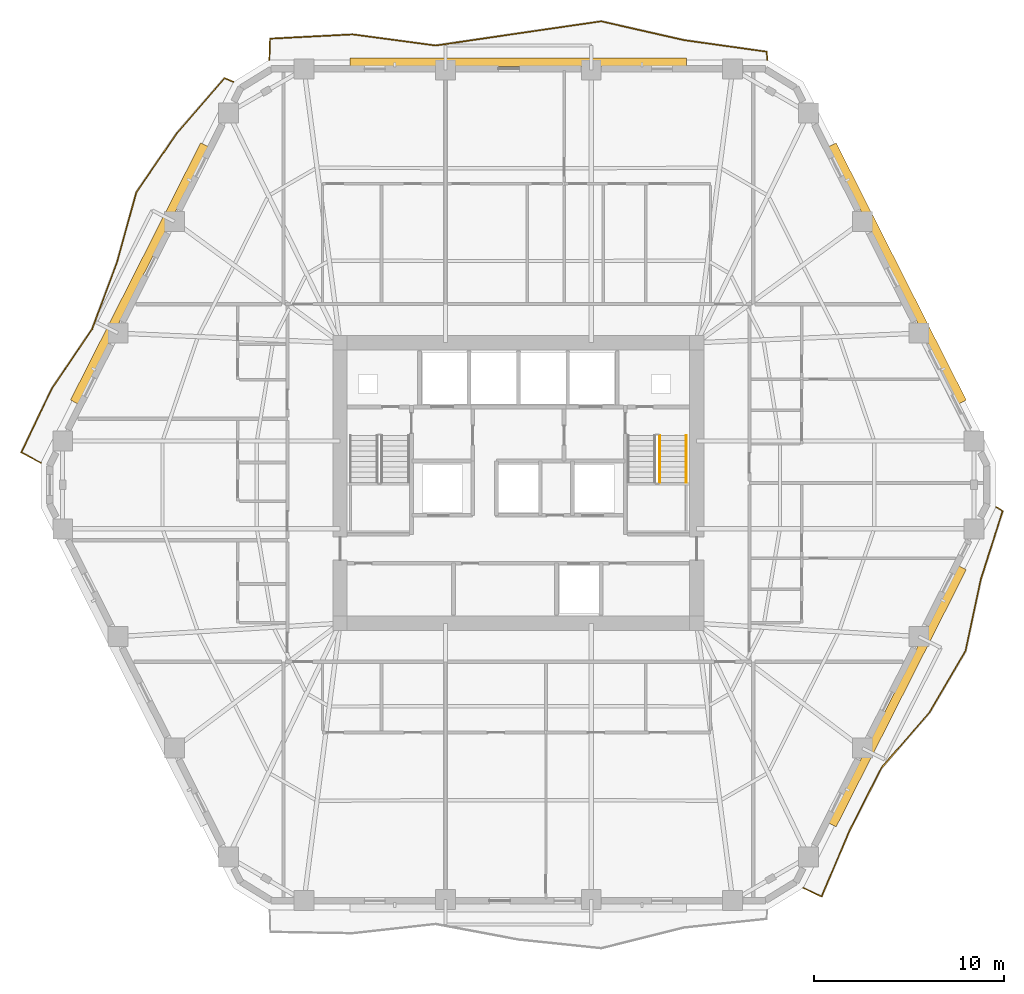
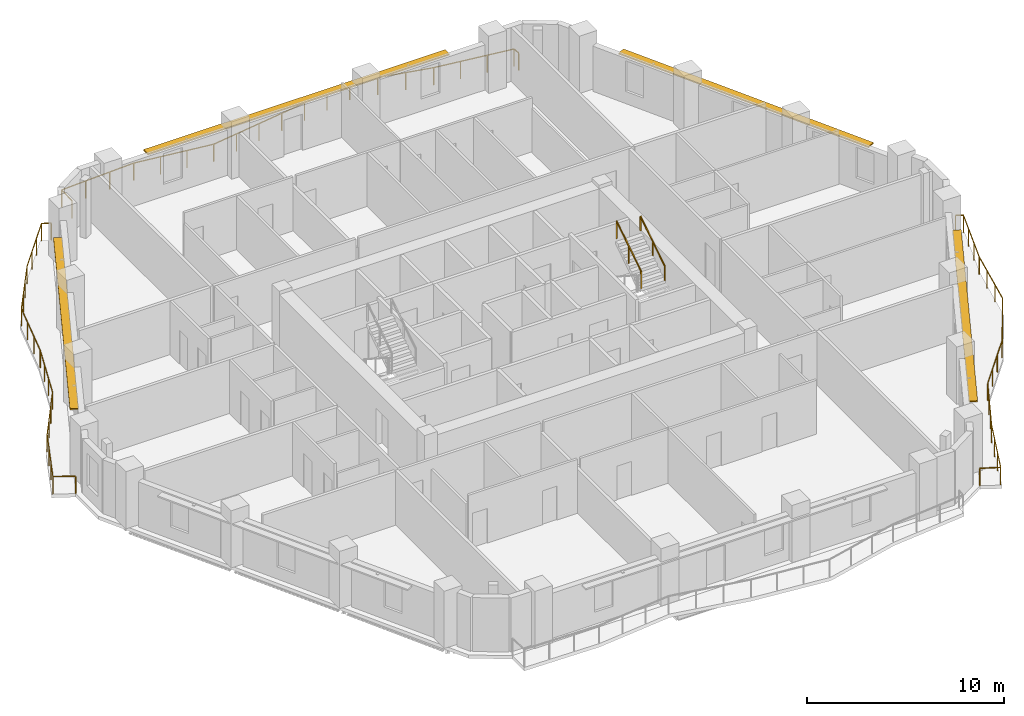
# One storey, part 12 of 12: 5 railings, 4 shading devices.
"""IFC4 building model written with IfcOpenShell, lengths in metres."""

from ifc_helpers import new_model, si_unit, direction, frame, origin, origin_2d, place, context, subcontext, project, spatial, rectangle, extrude, material, layer, layer_set, type_object, element, save


model = new_model("IFC4")

# Units and contexts
model_context = context("Model", 3, precision=1e-05, world=origin(), true_north=direction((0.0, 1.0)))
body_context = subcontext(model_context, "Body", "Model", "MODEL_VIEW")
ifc_project = project(units=[si_unit("LENGTHUNIT", "METRE"), si_unit("AREAUNIT", "SQUARE_METRE"), si_unit("VOLUMEUNIT", "CUBIC_METRE"), si_unit("PLANEANGLEUNIT", "RADIAN"), si_unit("MASSUNIT", "GRAM", prefix="KILO")], contexts=[model_context])

# Site, building, storey
site_placement = place(None, origin())
site = spatial("IfcSite", under=ifc_project, at=site_placement, CompositionType="ELEMENT")
building_placement = place(site_placement, origin())
building = spatial("IfcBuilding", under=site, at=building_placement, Name="Cinnabar Lancet Tower", CompositionType="ELEMENT")
storey_placement = place(building_placement, frame((0.0, 0.0, 137.449951171875)))
storey = spatial("IfcBuildingStorey", under=building, at=storey_placement, Name="L36", CompositionType="ELEMENT", Elevation=137.449951171875)

# Railings
ifc_material_1 = material(Name="Laminated safety glass and bronze stainless steel balustrade", Category="steel")
railing_type_1 = type_object("IfcRailingType", Name="ENV-RLG-BAL-1100", PredefinedType="BALUSTRADE", material=ifc_material_1)
railing_1_placement = place(storey_placement, frame((47.37890625, 4.610107421875, 0.0)))
element("IfcRailing", 1, at=railing_1_placement, inside=storey, type_object=railing_type_1, Name="L36 Face 2 Wave Balcony Balustrade", PredefinedType="BALUSTRADE", context=body_context, shape_type="SweptSolid", body=[
    extrude(rectangle(XDim=0.048095703125, YDim=0.048095703125, at=origin_2d()), frame((0.0, 0.0, 1.076171875), z_axis=(0.905026348483, -0.425355508429, 0.0), x_axis=(0.425355508429, 0.905026348483, 0.0)), (0.0, 0.0, 1.0), 1.065185546875),
    extrude(rectangle(XDim=0.048095703125, YDim=0.048095703125, at=origin_2d()), frame((0.964111328125, -0.453125, 1.076171875), z_axis=(0.390097478938, 0.920773564416, 0.0), x_axis=(-0.920773564416, 0.390097478938, 0.0)), (0.0, 0.0, 1.0), 3.74267578125),
    extrude(rectangle(XDim=0.048095703125, YDim=0.048095703125, at=origin_2d()), frame((2.424072265625, 2.992919921875, 1.076171875), z_axis=(0.453197327445, 0.891410221165, 0.0), x_axis=(-0.891410221165, 0.453197327445, 0.0)), (0.0, 0.0, 1.0), 3.731201171875),
    extrude(rectangle(XDim=0.048095703125, YDim=0.048095703125, at=origin_2d()), frame((4.114990234375, 6.31884765625, 1.076171875), z_axis=(0.655005456641, 0.75562414716, 0.0), x_axis=(-0.75562414716, 0.655005456641, 0.0)), (0.0, 0.0, 1.0), 3.845947265625),
    extrude(rectangle(XDim=0.048095703125, YDim=0.048095703125, at=origin_2d()), frame((6.634033203125, 9.224853515625, 1.076171875), z_axis=(0.506443438081, 0.862273184104, 0.0), x_axis=(-0.862273184104, 0.506443438081, 0.0)), (0.0, 0.0, 1.0), 3.738037109375),
    extrude(rectangle(XDim=0.048095703125, YDim=0.048095703125, at=origin_2d()), frame((8.527099609375, 12.447998046875, 1.076171875), z_axis=(0.209131504712, 0.977887526118, 0.0), x_axis=(-0.977887526118, 0.209131504712, 0.0)), (0.0, 0.0, 1.0), 3.858154296875),
    extrude(rectangle(XDim=0.048095703125, YDim=0.048095703125, at=origin_2d()), frame((9.333984375, 16.220947265625, 1.076171875), z_axis=(0.304267146751, 0.952586743246, 0.0), x_axis=(-0.952586743246, 0.304267146751, 0.0)), (0.0, 0.0, 1.0), 3.780029296875),
    extrude(rectangle(XDim=0.048095703125, YDim=0.048095703125, at=origin_2d()), frame((10.484130859375, 19.82177734375, 1.076171875), z_axis=(-0.859706668237, 0.5107880623, 0.0), x_axis=(-0.5107880623, -0.859706668237, 0.0)), (0.0, 0.0, 1.0), 0.4072265625),
    extrude(rectangle(XDim=0.0419921875, YDim=0.0419921875, at=origin_2d()), origin(), (0.0, 0.0, 1.0), 1.052001953125),
    extrude(rectangle(XDim=0.0419921875, YDim=0.0419921875, at=origin_2d()), frame((0.964111328125, -0.453125, 0.0)), (0.0, 0.0, 1.0), 1.052001953125),
    extrude(rectangle(XDim=0.0419921875, YDim=0.0419921875, at=origin_2d()), frame((1.45068359375, 0.695556640625, 0.0)), (0.0, 0.0, 1.0), 1.052001953125),
    extrude(rectangle(XDim=0.0419921875, YDim=0.0419921875, at=origin_2d()), frame((1.9375, 1.84423828125, 0.0)), (0.0, 0.0, 1.0), 1.052001953125),
    extrude(rectangle(XDim=0.0419921875, YDim=0.0419921875, at=origin_2d()), frame((2.424072265625, 2.992919921875, 0.0)), (0.0, 0.0, 1.0), 1.052001953125),
    extrude(rectangle(XDim=0.0419921875, YDim=0.0419921875, at=origin_2d()), frame((2.98779296875, 4.1015625, 0.0)), (0.0, 0.0, 1.0), 1.052001953125),
    extrude(rectangle(XDim=0.0419921875, YDim=0.0419921875, at=origin_2d()), frame((3.55126953125, 5.210205078125, 0.0)), (0.0, 0.0, 1.0), 1.052001953125),
    extrude(rectangle(XDim=0.0419921875, YDim=0.0419921875, at=origin_2d()), frame((4.114990234375, 6.31884765625, 0.0)), (0.0, 0.0, 1.0), 1.052001953125),
    extrude(rectangle(XDim=0.0419921875, YDim=0.0419921875, at=origin_2d()), frame((4.95458984375, 7.28759765625, 0.0)), (0.0, 0.0, 1.0), 1.052001953125),
    extrude(rectangle(XDim=0.0419921875, YDim=0.0419921875, at=origin_2d()), frame((5.79443359375, 8.256103515625, 0.0)), (0.0, 0.0, 1.0), 1.052001953125),
    extrude(rectangle(XDim=0.0419921875, YDim=0.0419921875, at=origin_2d()), frame((6.634033203125, 9.224853515625, 0.0)), (0.0, 0.0, 1.0), 1.052001953125),
    extrude(rectangle(XDim=0.0419921875, YDim=0.0419921875, at=origin_2d()), frame((7.26513671875, 10.29931640625, 0.0)), (0.0, 0.0, 1.0), 1.052001953125),
    extrude(rectangle(XDim=0.0419921875, YDim=0.0419921875, at=origin_2d()), frame((7.89599609375, 11.37353515625, 0.0)), (0.0, 0.0, 1.0), 1.052001953125),
    extrude(rectangle(XDim=0.0419921875, YDim=0.0419921875, at=origin_2d()), frame((8.527099609375, 12.447998046875, 0.0)), (0.0, 0.0, 1.0), 1.052001953125),
    extrude(rectangle(XDim=0.0419921875, YDim=0.0419921875, at=origin_2d()), frame((8.796142578125, 13.70556640625, 0.0)), (0.0, 0.0, 1.0), 1.052001953125),
    extrude(rectangle(XDim=0.0419921875, YDim=0.0419921875, at=origin_2d()), frame((9.06494140625, 14.96337890625, 0.0)), (0.0, 0.0, 1.0), 1.052001953125),
    extrude(rectangle(XDim=0.0419921875, YDim=0.0419921875, at=origin_2d()), frame((9.333984375, 16.220947265625, 0.0)), (0.0, 0.0, 1.0), 1.052001953125),
    extrude(rectangle(XDim=0.0419921875, YDim=0.0419921875, at=origin_2d()), frame((9.71728515625, 17.421142578125, 0.0)), (0.0, 0.0, 1.0), 1.052001953125),
    extrude(rectangle(XDim=0.0419921875, YDim=0.0419921875, at=origin_2d()), frame((10.100830078125, 18.62158203125, 0.0)), (0.0, 0.0, 1.0), 1.052001953125),
    extrude(rectangle(XDim=0.0419921875, YDim=0.0419921875, at=origin_2d()), frame((10.484130859375, 19.82177734375, 0.0)), (0.0, 0.0, 1.0), 1.052001953125),
    extrude(rectangle(XDim=0.0419921875, YDim=0.0419921875, at=origin_2d()), frame((10.134033203125, 20.02978515625, 0.0)), (0.0, 0.0, 1.0), 1.052001953125),
])
railing_2_placement = place(storey_placement, frame((45.491943359375, 48.14990234375, 0.0)))
element("IfcRailing", 2, at=railing_2_placement, inside=storey, type_object=railing_type_1, Name="L36 Face 4 Wave Balcony Balustrade", PredefinedType="BALUSTRADE", context=body_context, shape_type="SweptSolid", body=[
    extrude(rectangle(XDim=0.048095703125, YDim=0.048095703125, at=origin_2d()), frame((0.0, 0.0, 1.076171875), z_axis=(-0.081861032024, 0.996643753523, 0.0), x_axis=(-0.996643753523, -0.081861032024, 0.0)), (0.0, 0.0, 1.0), 0.426513671875),
    extrude(rectangle(XDim=0.048095703125, YDim=0.048095703125, at=origin_2d()), frame((-0.034912109375, 0.425048828125, 1.076171875), z_axis=(-0.990289819123, 0.139018251109, 0.0), x_axis=(-0.139018251109, -0.990289819123, 0.0)), (0.0, 0.0, 1.0), 4.395751953125),
    extrude(rectangle(XDim=0.048095703125, YDim=0.048095703125, at=origin_2d()), frame((-4.387939453125, 1.0361328125, 1.076171875), z_axis=(-0.975184418277, 0.221394106404, 0.0), x_axis=(-0.221394106404, -0.975184418277, 0.0)), (0.0, 0.0, 1.0), 4.462890625),
    extrude(rectangle(XDim=0.048095703125, YDim=0.048095703125, at=origin_2d()), frame((-8.739990234375, 2.024169921875, 1.076171875), z_axis=(-0.989553778863, -0.144164207546, 0.0), x_axis=(0.144164207546, -0.989553778863, 0.0)), (0.0, 0.0, 1.0), 4.39794921875),
    extrude(rectangle(XDim=0.048095703125, YDim=0.048095703125, at=origin_2d()), frame((-13.092041015625, 1.39013671875, 1.076171875), z_axis=(-0.989380983413, -0.145345346197, 0.0), x_axis=(0.145345346197, -0.989380983413, 0.0)), (0.0, 0.0, 1.0), 4.3974609375),
    extrude(rectangle(XDim=0.048095703125, YDim=0.048095703125, at=origin_2d()), frame((-17.44287109375, 0.7509765625, 1.076171875), z_axis=(-0.991113444838, 0.133019319882, 0.0), x_axis=(-0.133019319882, -0.991113444838, 0.0)), (0.0, 0.0, 1.0), 4.39208984375),
    extrude(rectangle(XDim=0.048095703125, YDim=0.048095703125, at=origin_2d()), frame((-21.7958984375, 1.335205078125, 1.076171875), z_axis=(-0.998666279569, -0.051630049891, 0.0), x_axis=(0.051630049891, -0.998666279569, 0.0)), (0.0, 0.0, 1.0), 4.35986328125),
    extrude(rectangle(XDim=0.048095703125, YDim=0.048095703125, at=origin_2d()), frame((-26.14990234375, 1.110107421875, 1.076171875), z_axis=(-0.030555332676, -0.999533076814, 0.0), x_axis=(0.999533076814, -0.030555332676, 0.0)), (0.0, 0.0, 1.0), 1.110595703125),
    extrude(rectangle(XDim=0.0419921875, YDim=0.0419921875, at=origin_2d()), origin(), (0.0, 0.0, 1.0), 1.052001953125),
    extrude(rectangle(XDim=0.0419921875, YDim=0.0419921875, at=origin_2d()), frame((-0.034912109375, 0.425048828125, 0.0)), (0.0, 0.0, 1.0), 1.052001953125),
    extrude(rectangle(XDim=0.0419921875, YDim=0.0419921875, at=origin_2d()), frame((-1.48583984375, 0.628662109375, 0.0)), (0.0, 0.0, 1.0), 1.052001953125),
    extrude(rectangle(XDim=0.0419921875, YDim=0.0419921875, at=origin_2d()), frame((-2.93701171875, 0.83251953125, 0.0)), (0.0, 0.0, 1.0), 1.052001953125),
    extrude(rectangle(XDim=0.0419921875, YDim=0.0419921875, at=origin_2d()), frame((-4.387939453125, 1.0361328125, 0.0)), (0.0, 0.0, 1.0), 1.052001953125),
    extrude(rectangle(XDim=0.0419921875, YDim=0.0419921875, at=origin_2d()), frame((-5.838623046875, 1.365478515625, 0.0)), (0.0, 0.0, 1.0), 1.052001953125),
    extrude(rectangle(XDim=0.0419921875, YDim=0.0419921875, at=origin_2d()), frame((-7.289306640625, 1.69482421875, 0.0)), (0.0, 0.0, 1.0), 1.052001953125),
    extrude(rectangle(XDim=0.0419921875, YDim=0.0419921875, at=origin_2d()), frame((-8.739990234375, 2.024169921875, 0.0)), (0.0, 0.0, 1.0), 1.052001953125),
    extrude(rectangle(XDim=0.0419921875, YDim=0.0419921875, at=origin_2d()), frame((-10.190673828125, 1.812744140625, 0.0)), (0.0, 0.0, 1.0), 1.052001953125),
    extrude(rectangle(XDim=0.0419921875, YDim=0.0419921875, at=origin_2d()), frame((-11.641357421875, 1.6015625, 0.0)), (0.0, 0.0, 1.0), 1.052001953125),
    extrude(rectangle(XDim=0.0419921875, YDim=0.0419921875, at=origin_2d()), frame((-13.092041015625, 1.39013671875, 0.0)), (0.0, 0.0, 1.0), 1.052001953125),
    extrude(rectangle(XDim=0.0419921875, YDim=0.0419921875, at=origin_2d()), frame((-14.542236328125, 1.177001953125, 0.0)), (0.0, 0.0, 1.0), 1.052001953125),
    extrude(rectangle(XDim=0.0419921875, YDim=0.0419921875, at=origin_2d()), frame((-15.99267578125, 0.964111328125, 0.0)), (0.0, 0.0, 1.0), 1.052001953125),
    extrude(rectangle(XDim=0.0419921875, YDim=0.0419921875, at=origin_2d()), frame((-17.44287109375, 0.7509765625, 0.0)), (0.0, 0.0, 1.0), 1.052001953125),
    extrude(rectangle(XDim=0.0419921875, YDim=0.0419921875, at=origin_2d()), frame((-18.893798828125, 0.94580078125, 0.0)), (0.0, 0.0, 1.0), 1.052001953125),
    extrude(rectangle(XDim=0.0419921875, YDim=0.0419921875, at=origin_2d()), frame((-20.344970703125, 1.140380859375, 0.0)), (0.0, 0.0, 1.0), 1.052001953125),
    extrude(rectangle(XDim=0.0419921875, YDim=0.0419921875, at=origin_2d()), frame((-21.7958984375, 1.335205078125, 0.0)), (0.0, 0.0, 1.0), 1.052001953125),
    extrude(rectangle(XDim=0.0419921875, YDim=0.0419921875, at=origin_2d()), frame((-23.247314453125, 1.26025390625, 0.0)), (0.0, 0.0, 1.0), 1.052001953125),
    extrude(rectangle(XDim=0.0419921875, YDim=0.0419921875, at=origin_2d()), frame((-24.698486328125, 1.18505859375, 0.0)), (0.0, 0.0, 1.0), 1.052001953125),
    extrude(rectangle(XDim=0.0419921875, YDim=0.0419921875, at=origin_2d()), frame((-26.14990234375, 1.110107421875, 0.0)), (0.0, 0.0, 1.0), 1.052001953125),
    extrude(rectangle(XDim=0.0419921875, YDim=0.0419921875, at=origin_2d()), frame((-26.183837890625, 0.0, 0.0)), (0.0, 0.0, 1.0), 1.052001953125),
])
railing_3_placement = place(storey_placement, frame((17.4208984375, 46.989990234375, 0.0)))
element("IfcRailing", 3, at=railing_3_placement, inside=storey, type_object=railing_type_1, Name="L36 Face 5 Wave Balcony Balustrade", PredefinedType="BALUSTRADE", context=body_context, shape_type="SweptSolid", body=[
    extrude(rectangle(XDim=0.048095703125, YDim=0.048095703125, at=origin_2d()), frame((0.0, 0.0, 1.076171875), z_axis=(-0.919420711038, 0.393275420175, 0.0), x_axis=(-0.393275420175, -0.919420711038, 0.0)), (0.0, 0.0, 1.0), 0.50341796875),
    extrude(rectangle(XDim=0.048095703125, YDim=0.048095703125, at=origin_2d()), frame((-0.462890625, 0.197998046875, 1.076171875), z_axis=(-0.655440084208, -0.755247175443, 0.0), x_axis=(0.755247175443, -0.655440084208, 0.0)), (0.0, 0.0, 1.0), 3.84765625),
    extrude(rectangle(XDim=0.048095703125, YDim=0.048095703125, at=origin_2d()), frame((-2.98486328125, -2.7080078125, 1.076171875), z_axis=(-0.564716462665, -0.825284991258, 0.0), x_axis=(0.825284991258, -0.564716462665, 0.0)), (0.0, 0.0, 1.0), 3.7646484375),
    extrude(rectangle(XDim=0.048095703125, YDim=0.048095703125, at=origin_2d()), frame((-5.11083984375, -5.81494140625, 1.076171875), z_axis=(-0.266194200742, -0.963919419605, 0.0), x_axis=(0.963919419605, -0.266194200742, 0.0)), (0.0, 0.0, 1.0), 3.80517578125),
    extrude(rectangle(XDim=0.048095703125, YDim=0.048095703125, at=origin_2d()), frame((-6.123779296875, -9.48291015625, 1.076171875), z_axis=(-0.348741683593, -0.937218884853, 0.0), x_axis=(0.937218884853, -0.348741683593, 0.0)), (0.0, 0.0, 1.0), 3.753662109375),
    extrude(rectangle(XDim=0.048095703125, YDim=0.048095703125, at=origin_2d()), frame((-7.432861328125, -13.0009765625, 1.076171875), z_axis=(-0.561614076261, -0.827399316742, 0.0), x_axis=(0.827399316742, -0.561614076261, 0.0)), (0.0, 0.0, 1.0), 3.762451171875),
    extrude(rectangle(XDim=0.048095703125, YDim=0.048095703125, at=origin_2d()), frame((-9.5458984375, -16.114013671875, 1.076171875), z_axis=(-0.430948673433, -0.902376440775, 0.0), x_axis=(0.902376440775, -0.430948673433, 0.0)), (0.0, 0.0, 1.0), 3.7333984375),
    extrude(rectangle(XDim=0.048095703125, YDim=0.048095703125, at=origin_2d()), frame((-11.15478515625, -19.48291015625, 1.076171875), z_axis=(0.881423564505, -0.472326687723, 0.0), x_axis=(0.472326687723, 0.881423564505, 0.0)), (0.0, 0.0, 1.0), 1.158447265625),
    extrude(rectangle(XDim=0.0419921875, YDim=0.0419921875, at=origin_2d()), origin(), (0.0, 0.0, 1.0), 1.052001953125),
    extrude(rectangle(XDim=0.0419921875, YDim=0.0419921875, at=origin_2d()), frame((-0.462890625, 0.197998046875, 0.0)), (0.0, 0.0, 1.0), 1.052001953125),
    extrude(rectangle(XDim=0.0419921875, YDim=0.0419921875, at=origin_2d()), frame((-1.303466796875, -0.770751953125, 0.0)), (0.0, 0.0, 1.0), 1.052001953125),
    extrude(rectangle(XDim=0.0419921875, YDim=0.0419921875, at=origin_2d()), frame((-2.144287109375, -1.7392578125, 0.0)), (0.0, 0.0, 1.0), 1.052001953125),
    extrude(rectangle(XDim=0.0419921875, YDim=0.0419921875, at=origin_2d()), frame((-2.98486328125, -2.7080078125, 0.0)), (0.0, 0.0, 1.0), 1.052001953125),
    extrude(rectangle(XDim=0.0419921875, YDim=0.0419921875, at=origin_2d()), frame((-3.693603515625, -3.74365234375, 0.0)), (0.0, 0.0, 1.0), 1.052001953125),
    extrude(rectangle(XDim=0.0419921875, YDim=0.0419921875, at=origin_2d()), frame((-4.402099609375, -4.779296875, 0.0)), (0.0, 0.0, 1.0), 1.052001953125),
    extrude(rectangle(XDim=0.0419921875, YDim=0.0419921875, at=origin_2d()), frame((-5.11083984375, -5.81494140625, 0.0)), (0.0, 0.0, 1.0), 1.052001953125),
    extrude(rectangle(XDim=0.0419921875, YDim=0.0419921875, at=origin_2d()), frame((-5.448486328125, -7.03759765625, 0.0)), (0.0, 0.0, 1.0), 1.052001953125),
    extrude(rectangle(XDim=0.0419921875, YDim=0.0419921875, at=origin_2d()), frame((-5.7861328125, -8.26025390625, 0.0)), (0.0, 0.0, 1.0), 1.052001953125),
    extrude(rectangle(XDim=0.0419921875, YDim=0.0419921875, at=origin_2d()), frame((-6.123779296875, -9.48291015625, 0.0)), (0.0, 0.0, 1.0), 1.052001953125),
    extrude(rectangle(XDim=0.0419921875, YDim=0.0419921875, at=origin_2d()), frame((-6.56005859375, -10.655517578125, 0.0)), (0.0, 0.0, 1.0), 1.052001953125),
    extrude(rectangle(XDim=0.0419921875, YDim=0.0419921875, at=origin_2d()), frame((-6.99658203125, -11.828369140625, 0.0)), (0.0, 0.0, 1.0), 1.052001953125),
    extrude(rectangle(XDim=0.0419921875, YDim=0.0419921875, at=origin_2d()), frame((-7.432861328125, -13.0009765625, 0.0)), (0.0, 0.0, 1.0), 1.052001953125),
    extrude(rectangle(XDim=0.0419921875, YDim=0.0419921875, at=origin_2d()), frame((-8.13720703125, -14.03857421875, 0.0)), (0.0, 0.0, 1.0), 1.052001953125),
    extrude(rectangle(XDim=0.0419921875, YDim=0.0419921875, at=origin_2d()), frame((-8.841552734375, -15.076416015625, 0.0)), (0.0, 0.0, 1.0), 1.052001953125),
    extrude(rectangle(XDim=0.0419921875, YDim=0.0419921875, at=origin_2d()), frame((-9.5458984375, -16.114013671875, 0.0)), (0.0, 0.0, 1.0), 1.052001953125),
    extrude(rectangle(XDim=0.0419921875, YDim=0.0419921875, at=origin_2d()), frame((-10.082275390625, -17.237060546875, 0.0)), (0.0, 0.0, 1.0), 1.052001953125),
    extrude(rectangle(XDim=0.0419921875, YDim=0.0419921875, at=origin_2d()), frame((-10.618408203125, -18.35986328125, 0.0)), (0.0, 0.0, 1.0), 1.052001953125),
    extrude(rectangle(XDim=0.0419921875, YDim=0.0419921875, at=origin_2d()), frame((-11.15478515625, -19.48291015625, 0.0)), (0.0, 0.0, 1.0), 1.052001953125),
    extrude(rectangle(XDim=0.0419921875, YDim=0.0419921875, at=origin_2d()), frame((-10.1337890625, -20.030029296875, 0.0)), (0.0, 0.0, 1.0), 1.052001953125),
])

# Shading devices
ifc_material_2 = material(Name="Pale limestone architectural aluminium sunshade", Category="masonry")
ifc_layer = layer(ifc_material_2, 0.080078125)
ifc_layer_set = layer_set([ifc_layer], Name="Pale limestone architectural aluminium sunshade")
shading_device_type = type_object("IfcShadingDeviceType", Name="ENV-SHD-LVR-450", PredefinedType="JALOUSIE", material=ifc_layer_set)
for number, where, z_axis, x_axis, name in (
    (4, (52.327880859375, 14.680908203125, 2.639892578125), (0.0, 0.0, 1.0), (0.451453853408, 0.892294468347, 0.0), "L36 Face 2 Horizontal Sunshade Canopy"),
    (5, (52.327880859375, 36.9189453125, 2.639892578125), (0.0, 0.0, 1.0), (-0.451453853408, 0.892294468347, 0.0), "L36 Face 3 Horizontal Sunshade Canopy"),
):
    element("IfcShadingDevice", number, at=place(storey_placement, frame(where, z_axis=z_axis, x_axis=x_axis)), inside=storey, type_object=shading_device_type, Name=name, PredefinedType="JALOUSIE", context=body_context, shape_type="SweptSolid", body=[
        extrude(rectangle(XDim=15.156982421875, YDim=0.449951171875, at=origin_2d()), origin(), (0.0, 0.0, 1.0), 0.080078125),
    ])
shading_device_1_placement = place(storey_placement, frame((32.39990234375, 48.02001953125, 2.639892578125), z_axis=(0.0, 0.0, 1.0), x_axis=(-1.0, 0.0, 0.0)))
element("IfcShadingDevice", 6, at=shading_device_1_placement, inside=storey, type_object=shading_device_type, Name="L36 Face 4 Horizontal Sunshade Canopy", PredefinedType="JALOUSIE", context=body_context, shape_type="SweptSolid", body=[
    extrude(rectangle(XDim=17.68310546875, YDim=0.449951171875, at=origin_2d()), origin(), (0.0, 0.0, 1.0), 0.080078125),
])
shading_device_2_placement = place(storey_placement, frame((12.471923828125, 36.9189453125, 2.639892578125), z_axis=(0.0, 0.0, 1.0), x_axis=(-0.451453853408, -0.892294468347, 0.0)))
element("IfcShadingDevice", 7, at=shading_device_2_placement, inside=storey, type_object=shading_device_type, Name="L36 Face 5 Horizontal Sunshade Canopy", PredefinedType="JALOUSIE", context=body_context, shape_type="SweptSolid", body=[
    extrude(rectangle(XDim=15.156982421875, YDim=0.449951171875, at=origin_2d()), origin(), (0.0, 0.0, 1.0), 0.080078125),
])

# Railings
ifc_material_3 = material(Name="Painted galvanized steel balustrade", Category="steel")
railing_type_2 = type_object("IfcRailingType", Name="GUARD-STAIR", PredefinedType="GUARDRAIL", material=ifc_material_3)
railing_4_placement = place(storey_placement, frame((39.824951171875, 25.925048828125, 1.95263671875)))
element("IfcRailing", 8, at=railing_4_placement, inside=storey, type_object=railing_type_2, Name="L36 ST-2 stair guard 3", PredefinedType="GUARDRAIL", context=body_context, shape_type="SweptSolid", body=[
    extrude(rectangle(XDim=0.048095703125, YDim=0.048095703125, at=origin_2d()), frame((0.0, 0.0, 1.076171875), z_axis=(0.0, 0.840183358697, 0.542302428327), x_axis=(-1.0, 0.0, 0.0)), (0.0, 0.0, 1.0), 2.945556640625),
    extrude(rectangle(XDim=0.0419921875, YDim=0.0419921875, at=origin_2d()), origin(), (0.0, 0.0, 1.0), 1.052001953125),
    extrude(rectangle(XDim=0.0419921875, YDim=0.0419921875, at=origin_2d()), frame((0.0, 1.2373046875, 0.798828125)), (0.0, 0.0, 1.0), 1.052001953125),
    extrude(rectangle(XDim=0.0419921875, YDim=0.0419921875, at=origin_2d()), frame((0.0, 2.474853515625, 1.597412109375)), (0.0, 0.0, 1.0), 1.052001953125),
])
ifc_material_4 = material(Name="Brushed stainless steel handrail", Category="steel")
railing_type_3 = type_object("IfcRailingType", Name="HANDRAIL-STAIR", PredefinedType="HANDRAIL", material=ifc_material_4)
railing_5_placement = place(storey_placement, frame((41.22509765625, 25.925048828125, 1.95263671875)))
element("IfcRailing", 9, at=railing_5_placement, inside=storey, type_object=railing_type_3, Name="L36 ST-2 stair handrail 2", PredefinedType="HANDRAIL", context=body_context, shape_type="SweptSolid", body=[
    extrude(rectangle(XDim=0.048095703125, YDim=0.048095703125, at=origin_2d()), frame((0.0, 0.0, 0.8759765625), z_axis=(0.0, 0.840183358697, 0.542302428327), x_axis=(-1.0, 0.0, 0.0)), (0.0, 0.0, 1.0), 2.945556640625),
    extrude(rectangle(XDim=0.0419921875, YDim=0.0419921875, at=origin_2d()), origin(), (0.0, 0.0, 1.0), 0.851806640625),
    extrude(rectangle(XDim=0.0419921875, YDim=0.0419921875, at=origin_2d()), frame((0.0, 1.2373046875, 0.798828125)), (0.0, 0.0, 1.0), 0.851806640625),
    extrude(rectangle(XDim=0.0419921875, YDim=0.0419921875, at=origin_2d()), frame((0.0, 2.474853515625, 1.597412109375)), (0.0, 0.0, 1.0), 0.851806640625),
])

save(model, "model.ifc")
